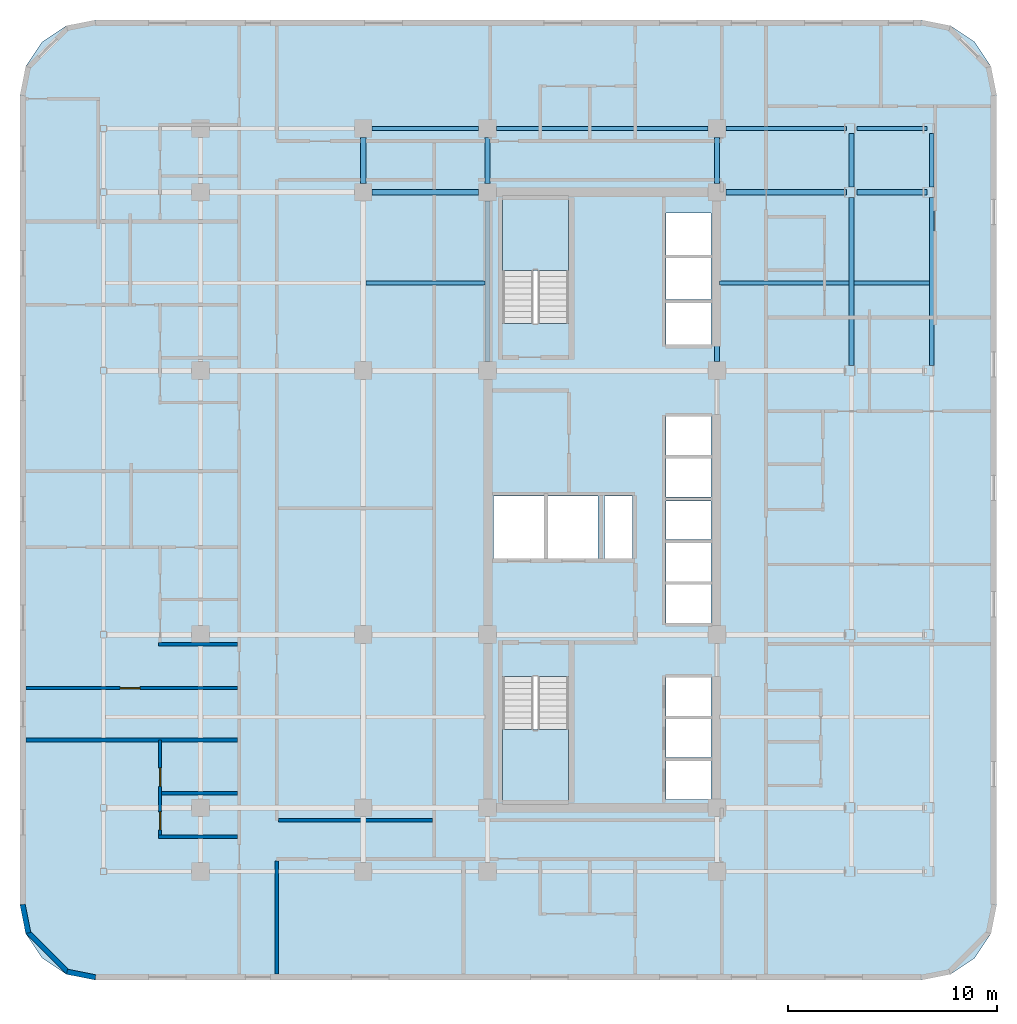
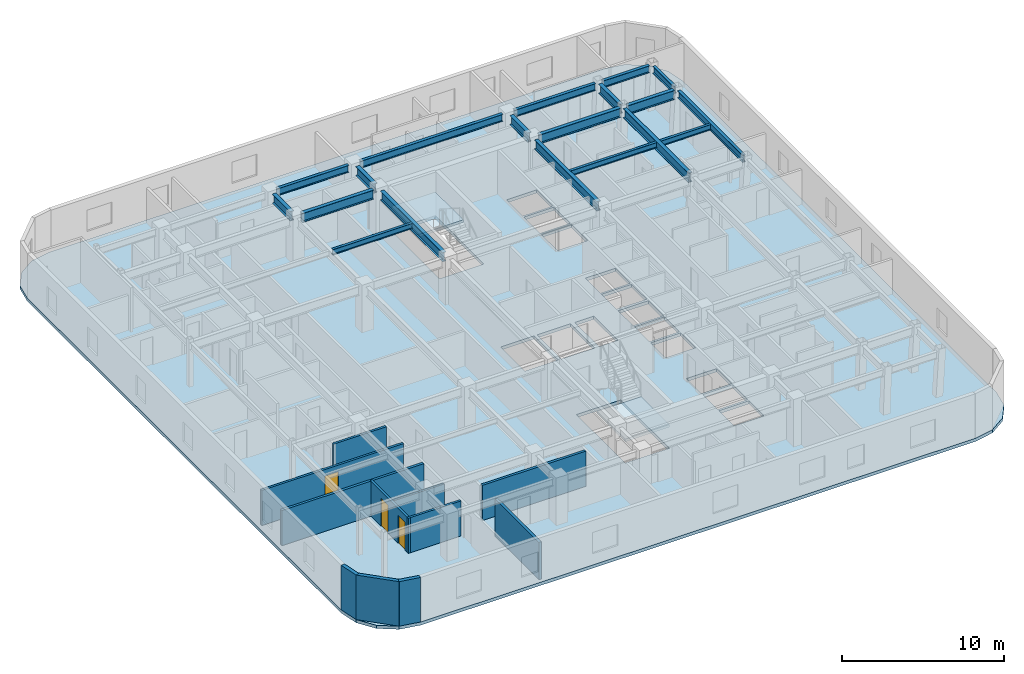
# One storey, part 5 of 12: 19 beams, 11 walls, 3 doors, 3 slabs, 3 openings, 2 elements without a shape of their own.
"""IFC4 building model written with IfcOpenShell, lengths in metres."""

from ifc_helpers import new_model, si_unit, direction, frame, frame_2d, origin, origin_2d, place, context, subcontext, project, spatial, polyline, rectangle, i_section, outline, extrude, material, layer, layer_set, material_profile, profile_set, type_object, element, fill, aggregate, save


model = new_model("IFC4")

# Units and contexts
model_context = context("Model", 3, precision=1e-05, world=origin(), true_north=direction((0.0, 1.0)))
body_context = subcontext(model_context, "Body", "Model", "MODEL_VIEW")
ifc_project = project(units=[si_unit("LENGTHUNIT", "METRE"), si_unit("AREAUNIT", "SQUARE_METRE"), si_unit("VOLUMEUNIT", "CUBIC_METRE"), si_unit("PLANEANGLEUNIT", "RADIAN"), si_unit("MASSUNIT", "GRAM", prefix="KILO")], contexts=[model_context])

# Site, building, storey
site_placement = place(None, origin())
site = spatial("IfcSite", under=ifc_project, at=site_placement, CompositionType="ELEMENT")
building_placement = place(site_placement, origin())
building = spatial("IfcBuilding", under=site, at=building_placement, Name="Ochreholt Gables", CompositionType="ELEMENT")
storey_placement = place(building_placement, frame((0.0, 0.0, 45.60009765625)))
storey = spatial("IfcBuildingStorey", under=building, at=storey_placement, Name="L11", CompositionType="ELEMENT", Elevation=45.60009765625)

# Beams
ifc_material_1 = material(Name="Steel CSA G40.21 350W", Category="steel")
ifc_material_profile_1 = material_profile(ifc_material_1, i_section(OverallWidth=0.256103515625, OverallDepth=0.693115234375, WebThickness=0.014404296875, FlangeThickness=0.023681640625, at=origin_2d()), Name="W690X170")
ifc_profile_set_1 = profile_set([ifc_material_profile_1], Name="Steel CSA G40.21 350W")
beam_type_1 = type_object("IfcBeamType", Name="BM-G-W690", PredefinedType="BEAM", material=ifc_profile_set_1)
beam_1_placement = place(storey_placement, frame((18.674560546875, 38.75, 3.013427734375), z_axis=(1.0, 0.0, 0.0), x_axis=(0.0, 1.0, 0.0)))
element("IfcBeam", 1, at=beam_1_placement, inside=storey, type_object=beam_type_1, Name="L11 Beam TBG-L11-W3C1-Y5", PredefinedType="BEAM", context=body_context, shape_type="SweptSolid", body=[
    extrude(i_section(OverallWidth=0.256103515625, OverallDepth=0.693115234375, WebThickness=0.014404296875, FlangeThickness=0.023681640625, at=origin_2d()), origin(), (0.0, 0.0, 1.0), 5.100830078125),
])
beam_2_placement = place(storey_placement, frame((35.62451171875, 38.75, 3.013427734375), z_axis=(1.0, 0.0, 0.0), x_axis=(0.0, 1.0, 0.0)))
element("IfcBeam", 2, at=beam_2_placement, inside=storey, type_object=beam_type_1, Name="L11 Beam TBG-L11-C2EM-Y5", PredefinedType="BEAM", context=body_context, shape_type="SweptSolid", body=[
    extrude(i_section(OverallWidth=0.256103515625, OverallDepth=0.693115234375, WebThickness=0.014404296875, FlangeThickness=0.023681640625, at=origin_2d()), origin(), (0.0, 0.0, 1.0), 5.783935546875),
])
beam_3_placement = place(storey_placement, frame((41.90771484375, 38.75, 3.013427734375), z_axis=(1.0, 0.0, 0.0), x_axis=(0.0, 1.0, 0.0)))
element("IfcBeam", 3, at=beam_3_placement, inside=storey, type_object=beam_type_1, Name="L11 Beam TBG-L11-EMEE-Y5", PredefinedType="BEAM", context=body_context, shape_type="SweptSolid", body=[
    extrude(i_section(OverallWidth=0.256103515625, OverallDepth=0.693115234375, WebThickness=0.014404296875, FlangeThickness=0.023681640625, at=origin_2d()), origin(), (0.0, 0.0, 1.0), 3.35302734375),
])
beam_4_placement = place(storey_placement, frame((18.25, 39.174560546875, 3.013427734375), z_axis=(0.0, 1.0, 0.0), x_axis=(-1.0, 0.0, 0.0)))
element("IfcBeam", 4, at=beam_4_placement, inside=storey, type_object=beam_type_1, Name="L11 Beam TBN-L11-W3-Y5Y6", PredefinedType="BEAM", context=body_context, shape_type="SweptSolid", body=[
    extrude(i_section(OverallWidth=0.256103515625, OverallDepth=0.693115234375, WebThickness=0.014404296875, FlangeThickness=0.023681640625, at=origin_2d()), origin(), (0.0, 0.0, 1.0), 2.200927734375),
])
beam_5_placement = place(storey_placement, frame((24.199951171875, 30.62451171875, 3.013427734375), z_axis=(0.0, 1.0, 0.0), x_axis=(-1.0, 0.0, 0.0)))
element("IfcBeam", 5, at=beam_5_placement, inside=storey, type_object=beam_type_1, Name="L11 Beam TBN-L11-C1-Y4Y5", PredefinedType="BEAM", context=body_context, shape_type="SweptSolid", body=[
    extrude(i_section(OverallWidth=0.256103515625, OverallDepth=0.693115234375, WebThickness=0.014404296875, FlangeThickness=0.023681640625, at=origin_2d()), origin(), (0.0, 0.0, 1.0), 7.700927734375),
])
beam_6_placement = place(storey_placement, frame((24.199951171875, 39.174560546875, 3.013427734375), z_axis=(0.0, 1.0, 0.0), x_axis=(-1.0, 0.0, 0.0)))
element("IfcBeam", 6, at=beam_6_placement, inside=storey, type_object=beam_type_1, Name="L11 Beam TBN-L11-C1-Y5Y6", PredefinedType="BEAM", context=body_context, shape_type="SweptSolid", body=[
    extrude(i_section(OverallWidth=0.256103515625, OverallDepth=0.693115234375, WebThickness=0.014404296875, FlangeThickness=0.023681640625, at=origin_2d()), origin(), (0.0, 0.0, 1.0), 2.200927734375),
])
beam_7_placement = place(storey_placement, frame((35.199951171875, 30.62451171875, 3.013427734375), z_axis=(0.0, 1.0, 0.0), x_axis=(-1.0, 0.0, 0.0)))
element("IfcBeam", 7, at=beam_7_placement, inside=storey, type_object=beam_type_1, Name="L11 Beam TBN-L11-C2-Y4Y5", PredefinedType="BEAM", context=body_context, shape_type="SweptSolid", body=[
    extrude(i_section(OverallWidth=0.256103515625, OverallDepth=0.693115234375, WebThickness=0.014404296875, FlangeThickness=0.023681640625, at=origin_2d()), origin(), (0.0, 0.0, 1.0), 7.700927734375),
])
beam_8_placement = place(storey_placement, frame((35.199951171875, 39.174560546875, 3.013427734375), z_axis=(0.0, 1.0, 0.0), x_axis=(-1.0, 0.0, 0.0)))
element("IfcBeam", 8, at=beam_8_placement, inside=storey, type_object=beam_type_1, Name="L11 Beam TBN-L11-C2-Y5Y6", PredefinedType="BEAM", context=body_context, shape_type="SweptSolid", body=[
    extrude(i_section(OverallWidth=0.256103515625, OverallDepth=0.693115234375, WebThickness=0.014404296875, FlangeThickness=0.023681640625, at=origin_2d()), origin(), (0.0, 0.0, 1.0), 2.200927734375),
])
beam_9_placement = place(storey_placement, frame((41.640869140625, 30.44970703125, 3.013427734375), z_axis=(0.0, 1.0, 0.0), x_axis=(-1.0, 0.0, 0.0)))
element("IfcBeam", 9, at=beam_9_placement, inside=storey, type_object=beam_type_1, Name="L11 Beam TBN-L11-EM-Y4Y5", PredefinedType="BEAM", context=body_context, shape_type="SweptSolid", body=[
    extrude(i_section(OverallWidth=0.256103515625, OverallDepth=0.693115234375, WebThickness=0.014404296875, FlangeThickness=0.023681640625, at=origin_2d()), origin(), (0.0, 0.0, 1.0), 8.05078125),
])
beam_10_placement = place(storey_placement, frame((41.640869140625, 38.99951171875, 3.013427734375), z_axis=(0.0, 1.0, 0.0), x_axis=(-1.0, 0.0, 0.0)))
element("IfcBeam", 10, at=beam_10_placement, inside=storey, type_object=beam_type_1, Name="L11 Beam TBN-L11-EM-Y5Y6", PredefinedType="BEAM", context=body_context, shape_type="SweptSolid", body=[
    extrude(i_section(OverallWidth=0.256103515625, OverallDepth=0.693115234375, WebThickness=0.014404296875, FlangeThickness=0.023681640625, at=origin_2d()), origin(), (0.0, 0.0, 1.0), 2.55078125),
])
ifc_material_profile_2 = material_profile(ifc_material_1, i_section(OverallWidth=0.178955078125, OverallDepth=0.409912109375, WebThickness=0.0087890625, FlangeThickness=0.014404296875, at=origin_2d()), Name="W410X67")
ifc_profile_set_2 = profile_set([ifc_material_profile_2], Name="Steel CSA G40.21 350W")
beam_type_2 = type_object("IfcBeamType", Name="BM-J-W410", PredefinedType="JOIST", material=ifc_profile_set_2)
beam_11_placement = place(storey_placement, frame((18.377685546875, 34.39990234375, 3.15478515625), z_axis=(1.0, 0.0, 0.0), x_axis=(0.0, 1.0, 0.0)))
element("IfcBeam", 11, at=beam_11_placement, inside=storey, type_object=beam_type_2, Name="L11 Beam TBJ-L11-J2-W3C1", PredefinedType="JOIST", context=body_context, shape_type="SweptSolid", body=[
    extrude(i_section(OverallWidth=0.178955078125, OverallDepth=0.409912109375, WebThickness=0.0087890625, FlangeThickness=0.014404296875, at=origin_2d()), origin(), (0.0, 0.0, 1.0), 5.69482421875),
])
beam_12_placement = place(storey_placement, frame((35.32763671875, 34.39990234375, 3.15478515625), z_axis=(1.0, 0.0, 0.0), x_axis=(0.0, 1.0, 0.0)))
element("IfcBeam", 12, at=beam_12_placement, inside=storey, type_object=beam_type_2, Name="L11 Beam TBJ-L11-J2-C2EM", PredefinedType="JOIST", context=body_context, shape_type="SweptSolid", body=[
    extrude(i_section(OverallWidth=0.178955078125, OverallDepth=0.409912109375, WebThickness=0.0087890625, FlangeThickness=0.014404296875, at=origin_2d()), origin(), (0.0, 0.0, 1.0), 6.185546875),
])
beam_13_placement = place(storey_placement, frame((41.7685546875, 34.39990234375, 3.15478515625), z_axis=(1.0, 0.0, 0.0), x_axis=(0.0, 1.0, 0.0)))
element("IfcBeam", 13, at=beam_13_placement, inside=storey, type_object=beam_type_2, Name="L11 Beam TBJ-L11-J2-EMEE", PredefinedType="JOIST", context=body_context, shape_type="SweptSolid", body=[
    extrude(i_section(OverallWidth=0.178955078125, OverallDepth=0.409912109375, WebThickness=0.0087890625, FlangeThickness=0.014404296875, at=origin_2d()), origin(), (0.0, 0.0, 1.0), 3.609375),
])
ifc_material_profile_3 = material_profile(ifc_material_1, i_section(OverallWidth=0.208984375, OverallDepth=0.532958984375, WebThickness=0.01025390625, FlangeThickness=0.015625, at=origin_2d()), Name="W530X92")
ifc_profile_set_3 = profile_set([ifc_material_profile_3], Name="Steel CSA G40.21 350W")
beam_type_3 = type_object("IfcBeamType", Name="BM-SP-W530B", PredefinedType="SPANDREL", material=ifc_profile_set_3)
beam_14_placement = place(storey_placement, frame((18.674560546875, 41.800048828125, 3.093505859375), z_axis=(1.0, 0.0, 0.0), x_axis=(0.0, 1.0, 0.0)))
element("IfcBeam", 14, at=beam_14_placement, inside=storey, type_object=beam_type_3, Name="L11 Beam TBG-L11-W3C1-Y6", PredefinedType="SPANDREL", context=body_context, shape_type="SweptSolid", body=[
    extrude(i_section(OverallWidth=0.208984375, OverallDepth=0.532958984375, WebThickness=0.01025390625, FlangeThickness=0.015625, at=origin_2d()), origin(), (0.0, 0.0, 1.0), 5.100830078125),
])
beam_15_placement = place(storey_placement, frame((24.62451171875, 41.800048828125, 3.093505859375), z_axis=(1.0, 0.0, 0.0), x_axis=(0.0, 1.0, 0.0)))
element("IfcBeam", 15, at=beam_15_placement, inside=storey, type_object=beam_type_3, Name="L11 Beam TBG-L11-C1C2-Y6", PredefinedType="SPANDREL", context=body_context, shape_type="SweptSolid", body=[
    extrude(i_section(OverallWidth=0.208984375, OverallDepth=0.532958984375, WebThickness=0.01025390625, FlangeThickness=0.015625, at=origin_2d()), origin(), (0.0, 0.0, 1.0), 10.15087890625),
])
beam_16_placement = place(storey_placement, frame((35.62451171875, 41.800048828125, 3.093505859375), z_axis=(1.0, 0.0, 0.0), x_axis=(0.0, 1.0, 0.0)))
element("IfcBeam", 16, at=beam_16_placement, inside=storey, type_object=beam_type_3, Name="L11 Beam TBG-L11-C2EM-Y6", PredefinedType="SPANDREL", context=body_context, shape_type="SweptSolid", body=[
    extrude(i_section(OverallWidth=0.208984375, OverallDepth=0.532958984375, WebThickness=0.01025390625, FlangeThickness=0.015625, at=origin_2d()), origin(), (0.0, 0.0, 1.0), 5.783935546875),
])
beam_17_placement = place(storey_placement, frame((41.90771484375, 41.800048828125, 3.093505859375), z_axis=(1.0, 0.0, 0.0), x_axis=(0.0, 1.0, 0.0)))
element("IfcBeam", 17, at=beam_17_placement, inside=storey, type_object=beam_type_3, Name="L11 Beam TBG-L11-EMEE-Y6", PredefinedType="SPANDREL", context=body_context, shape_type="SweptSolid", body=[
    extrude(i_section(OverallWidth=0.208984375, OverallDepth=0.532958984375, WebThickness=0.01025390625, FlangeThickness=0.015625, at=origin_2d()), origin(), (0.0, 0.0, 1.0), 3.35302734375),
])
beam_18_placement = place(storey_placement, frame((45.48193359375, 30.44970703125, 3.093505859375), z_axis=(0.0, 1.0, 0.0), x_axis=(-1.0, 0.0, 0.0)))
element("IfcBeam", 18, at=beam_18_placement, inside=storey, type_object=beam_type_3, Name="L11 Beam TBN-L11-EE-Y4Y5", PredefinedType="SPANDREL", context=body_context, shape_type="SweptSolid", body=[
    extrude(i_section(OverallWidth=0.208984375, OverallDepth=0.532958984375, WebThickness=0.01025390625, FlangeThickness=0.015625, at=origin_2d()), origin(), (0.0, 0.0, 1.0), 8.05078125),
])
beam_19_placement = place(storey_placement, frame((45.48193359375, 38.99951171875, 3.093505859375), z_axis=(0.0, 1.0, 0.0), x_axis=(-1.0, 0.0, 0.0)))
element("IfcBeam", 19, at=beam_19_placement, inside=storey, type_object=beam_type_3, Name="L11 Beam TBN-L11-EE-Y5Y6", PredefinedType="SPANDREL", context=body_context, shape_type="SweptSolid", body=[
    extrude(i_section(OverallWidth=0.208984375, OverallDepth=0.532958984375, WebThickness=0.01025390625, FlangeThickness=0.015625, at=origin_2d()), origin(), (0.0, 0.0, 1.0), 2.55078125),
])

# Stair, slab
ifc_material_2 = material(Name="Concrete 40 MPa", Category="concrete")
stair_type_1 = type_object("IfcStairType", Name="STAIR-CORE-ST-1", PredefinedType="HALF_TURN_STAIR", material=ifc_material_2)
stair_1_placement = place(storey_placement, origin())
stair_1 = element("IfcStair", 20, at=stair_1_placement, inside=storey, type_object=stair_type_1, Name="L11 Core Exit Stair 1", PredefinedType="HALF_TURN_STAIR")
ifc_layer_1 = layer(ifc_material_2, 0.199951171875, Name="Concrete 40 MPa")
ifc_layer_set_1 = layer_set([ifc_layer_1], Name="Concrete 40 MPa")
slab_type_1 = type_object("IfcSlabType", Name="LANDING-RC200", PredefinedType="LANDING", material=ifc_layer_set_1)
slab_1_placement = place(storey_placement, frame((0.0, 0.0, 1.599853515625)))
slab_1 = element("IfcSlab", 21, at=slab_1_placement, type_object=slab_type_1, Name="ST-1 landing 1", PredefinedType="LANDING", context=body_context, shape_type="SweptSolid", body=[
    extrude(outline(polyline([(24.919921875, 13.001953125), (24.919921875, 9.52001953125), (28.080078125, 9.52001953125), (28.080078125, 13.001953125), (24.919921875, 13.001953125)])), origin(), (0.0, 0.0, 1.0), 0.199951171875),
])
aggregate(stair_1, [slab_1])

stair_type_2 = type_object("IfcStairType", Name="STAIR-CORE-ST-2", PredefinedType="HALF_TURN_STAIR", material=ifc_material_2)
stair_2_placement = place(storey_placement, origin())
stair_2 = element("IfcStair", 22, at=stair_2_placement, inside=storey, type_object=stair_type_2, Name="L11 Core Exit Stair 2", PredefinedType="HALF_TURN_STAIR")
slab_2_placement = place(storey_placement, frame((0.0, 0.0, 1.599853515625)))
slab_2 = element("IfcSlab", 23, at=slab_2_placement, type_object=slab_type_1, Name="ST-2 landing 1", PredefinedType="LANDING", context=body_context, shape_type="SweptSolid", body=[
    extrude(outline(polyline([(28.080078125, 34.998046875), (28.080078125, 38.47998046875), (24.919921875, 38.47998046875), (24.919921875, 34.998046875), (28.080078125, 34.998046875)])), origin(), (0.0, 0.0, 1.0), 0.199951171875),
])
aggregate(stair_2, [slab_2])

# Slab
ifc_layer_2 = layer(ifc_material_2, 0.239990234375, Name="Concrete 40 MPa")
ifc_layer_set_2 = layer_set([ifc_layer_2], Name="Concrete 40 MPa")
slab_type_2 = type_object("IfcSlabType", Name="SLAB-TWR-240", PredefinedType="FLOOR", material=ifc_layer_set_2)
slab_3_placement = place(storey_placement, frame((0.0, 0.0, -0.239990234375)))
element("IfcSlab", 24, at=slab_3_placement, inside=storey, type_object=slab_type_2, Name="L11 Structural Floor Slab", PredefinedType="FLOOR", context=body_context, shape_type="SweptSolid", body=[
    extrude(outline(polyline([(1.800048828125, 4.60009765625), (2.073974609375, 3.222412109375), (2.8544921875, 2.054443359375), (4.022216796875, 1.27392578125), (5.39990234375, 1.0), (45.0, 1.0), (46.377685546875, 1.27392578125), (47.545654296875, 2.054443359375), (48.325927734375, 3.222412109375), (48.60009765625, 4.60009765625), (48.60009765625, 43.39990234375), (48.325927734375, 44.777587890625), (47.545654296875, 45.945556640625), (46.377685546875, 46.72607421875), (45.0, 47.0), (5.39990234375, 47.0), (4.022216796875, 46.72607421875), (2.8544921875, 45.945556640625), (2.073974609375, 44.777587890625), (1.800048828125, 43.39990234375), (1.800048828125, 4.60009765625)]), holes=[polyline([(24.919921875, 15.539306640625), (24.919921875, 9.52001953125), (28.080078125, 9.52001953125), (28.080078125, 15.539306640625), (24.919921875, 15.539306640625)]), polyline([(28.080078125, 32.460693359375), (28.080078125, 38.47998046875), (24.919921875, 38.47998046875), (24.919921875, 32.460693359375), (28.080078125, 32.460693359375)]), polyline([(24.5, 21.199951171875), (26.89990234375, 21.199951171875), (26.89990234375, 24.199951171875), (24.5, 24.199951171875), (24.5, 21.199951171875)]), polyline([(27.10009765625, 21.199951171875), (29.5, 21.199951171875), (29.5, 24.199951171875), (27.10009765625, 24.199951171875), (27.10009765625, 21.199951171875)]), polyline([(32.75, 9.64990234375), (34.89990234375, 9.64990234375), (34.89990234375, 11.5), (32.75, 11.5), (32.75, 9.64990234375)]), polyline([(32.75, 11.64990234375), (34.89990234375, 11.64990234375), (34.89990234375, 13.5), (32.75, 13.5), (32.75, 11.64990234375)]), polyline([(32.75, 13.64990234375), (34.89990234375, 13.64990234375), (34.89990234375, 15.5), (32.75, 15.5), (32.75, 13.64990234375)]), polyline([(32.75, 18.10009765625), (34.89990234375, 18.10009765625), (34.89990234375, 19.949951171875), (32.75, 19.949951171875), (32.75, 18.10009765625)]), polyline([(32.75, 20.10009765625), (34.89990234375, 20.10009765625), (34.89990234375, 21.949951171875), (32.75, 21.949951171875), (32.75, 20.10009765625)]), polyline([(32.75, 22.10009765625), (34.89990234375, 22.10009765625), (34.89990234375, 23.949951171875), (32.75, 23.949951171875), (32.75, 22.10009765625)]), polyline([(32.75, 24.14990234375), (34.89990234375, 24.14990234375), (34.89990234375, 26.0), (32.75, 26.0), (32.75, 24.14990234375)]), polyline([(32.75, 26.14990234375), (34.89990234375, 26.14990234375), (34.89990234375, 28.0), (32.75, 28.0), (32.75, 26.14990234375)]), polyline([(32.75, 31.449951171875), (34.89990234375, 31.449951171875), (34.89990234375, 33.449951171875), (32.75, 33.449951171875), (32.75, 31.449951171875)]), polyline([(32.75, 33.60009765625), (34.89990234375, 33.60009765625), (34.89990234375, 35.60009765625), (32.75, 35.60009765625), (32.75, 33.60009765625)]), polyline([(32.75, 35.75), (34.89990234375, 35.75), (34.89990234375, 37.75), (32.75, 37.75), (32.75, 35.75)]), polyline([(29.800048828125, 21.199951171875), (31.14990234375, 21.199951171875), (31.14990234375, 24.199951171875), (29.800048828125, 24.199951171875), (29.800048828125, 21.199951171875)])]), origin(), (0.0, 0.0, 1.0), 0.239990234375),
])

# Walls
ifc_material_3 = material(Name="Precast concrete 40 MPa", Category="concrete")
ifc_layer_3 = layer(ifc_material_3, 0.25, Name="Precast concrete 40 MPa")
ifc_layer_set_3 = layer_set([ifc_layer_3], Name="Precast concrete 40 MPa")
wall_type_1 = type_object("IfcWallType", Name="WALL-EXT-CNR", PredefinedType="SOLIDWALL", material=ifc_layer_set_3)
wall_1_placement = place(storey_placement, frame((1.92431640625, 4.616455078125, 0.0), z_axis=(0.0, 0.0, 1.0), x_axis=(0.19496651342, -0.980809899341, 0.0)))
element("IfcWall", 25, at=wall_1_placement, inside=storey, type_object=wall_type_1, Name="L11 Rounded Corner Wall SW-1", PredefinedType="SOLIDWALL", context=body_context, shape_type="SweptSolid", body=[
    extrude(rectangle(XDim=1.388671875, YDim=0.25, at=frame_2d((0.6943359375, 0.0))), origin(), (0.0, 0.0, 1.0), 3.35986328125),
])
wall_2_placement = place(storey_placement, frame((2.16796875, 3.304931640625, 0.0), z_axis=(0.0, 0.0, 1.0), x_axis=(0.707106781187, -0.707106781187, 0.0)))
element("IfcWall", 26, at=wall_2_placement, inside=storey, type_object=wall_type_1, Name="L11 Rounded Corner Wall SW-2", PredefinedType="SOLIDWALL", context=body_context, shape_type="SweptSolid", body=[
    extrude(rectangle(XDim=2.7392578125, YDim=0.25, at=frame_2d((1.36962890625, 0.0))), origin(), (0.0, 0.0, 1.0), 3.35986328125),
])
wall_3_placement = place(storey_placement, frame((4.054443359375, 1.39501953125, 0.0), z_axis=(0.0, 0.0, 1.0), x_axis=(0.980809899341, -0.19496651342, 0.0)))
element("IfcWall", 27, at=wall_3_placement, inside=storey, type_object=wall_type_1, Name="L11 Rounded Corner Wall SW-3", PredefinedType="SOLIDWALL", context=body_context, shape_type="SweptSolid", body=[
    extrude(rectangle(XDim=1.388671875, YDim=0.25, at=frame_2d((0.6943359375, 0.0))), origin(), (0.0, 0.0, 1.0), 3.35986328125),
])
ifc_material_4 = material(Name="Fire-Rated Gypsum Acoustic Partition", Category="gypsum")
ifc_layer_4 = layer(ifc_material_4, 0.179931640625, Name="Fire-Rated Gypsum Acoustic Partition")
ifc_layer_set_4 = layer_set([ifc_layer_4], Name="Fire-Rated Gypsum Acoustic Partition")
wall_type_2 = type_object("IfcWallType", Name="WALL-INT-CR180", PredefinedType="STANDARD", material=ifc_layer_set_4)
wall_4_placement = place(storey_placement, frame((14.18994140625, 8.64990234375, 0.0), z_axis=(0.0, 0.0, 1.0), x_axis=(1.0, 0.0, 0.0)))
element("IfcWall", 28, at=wall_4_placement, inside=storey, type_object=wall_type_2, Name="L11 Interior Wall WI-C1S2W-L11", PredefinedType="STANDARD", context=body_context, shape_type="SweptSolid", body=[
    extrude(rectangle(XDim=7.3701171875, YDim=0.179931640625, at=frame_2d((3.68505859375, 0.0))), origin(), (0.0, 0.0, 1.0), 2.64892578125),
])
ifc_material_5 = material(Name="Double-Stud Acoustic Demising Wall", Category="gypsum")
ifc_layer_5 = layer(ifc_material_5, 0.179931640625, Name="Double-Stud Acoustic Demising Wall")
ifc_layer_set_5 = layer_set([ifc_layer_5], Name="Double-Stud Acoustic Demising Wall")
wall_type_3 = type_object("IfcWallType", Name="WALL-INT-DM180", PredefinedType="PARTITIONING", material=ifc_layer_set_5)
wall_5_placement = place(storey_placement, frame((14.10009765625, 1.2900390625, 0.0), z_axis=(0.0, 0.0, 1.0), x_axis=(0.0, 1.0, 0.0)))
element("IfcWall", 29, at=wall_5_placement, inside=storey, type_object=wall_type_3, Name="L11 Interior Wall WI-C1WSI-L11", PredefinedType="PARTITIONING", context=body_context, shape_type="SweptSolid", body=[
    extrude(rectangle(XDim=5.419921875, YDim=0.179931640625, at=frame_2d((2.7099609375, 0.0))), origin(), (0.0, 0.0, 1.0), 2.808837890625),
])
wall_6_placement = place(storey_placement, frame((2.090087890625, 12.5, 0.0), z_axis=(0.0, 0.0, 1.0), x_axis=(1.0, 0.0, 0.0)))
element("IfcWall", 30, at=wall_6_placement, inside=storey, type_object=wall_type_3, Name="L11 Interior Wall WI-UDW2-L11", PredefinedType="PARTITIONING", context=body_context, shape_type="SweptSolid", body=[
    extrude(rectangle(XDim=10.119873046875, YDim=0.179931640625, at=frame_2d((5.06005859375, 0.0))), origin(), (0.0, 0.0, 1.0), 2.64892578125),
])
ifc_material_6 = material(Name="Moisture-Resistant Plumbing Chase Wall", Category="gypsum")
ifc_layer_6 = layer(ifc_material_6, 0.159912109375, Name="Moisture-Resistant Plumbing Chase Wall")
ifc_layer_set_6 = layer_set([ifc_layer_6], Name="Moisture-Resistant Plumbing Chase Wall")
wall_type_4 = type_object("IfcWallType", Name="WALL-INT-PL160", PredefinedType="PLUMBINGWALL", material=ifc_layer_set_6)
wall_7_placement = place(storey_placement, frame((8.429931640625, 7.860107421875, 0.0), z_axis=(0.0, 0.0, 1.0), x_axis=(1.0, 0.0, 0.0)))
element("IfcWall", 31, at=wall_7_placement, inside=storey, type_object=wall_type_4, Name="L11 Interior Wall WU-L11W1-WYS", PredefinedType="PLUMBINGWALL", context=body_context, shape_type="SweptSolid", body=[
    extrude(rectangle(XDim=3.780029296875, YDim=0.159912109375, at=frame_2d((1.89013671875, 0.0))), origin(), (0.0, 0.0, 1.0), 2.64892578125),
])

# Wall, openings, doors
wall_8_placement = place(storey_placement, frame((8.510009765625, 7.77001953125, 0.0), z_axis=(0.0, 0.0, 1.0), x_axis=(0.0, 1.0, 0.0)))
wall_8 = element("IfcWall", 32, at=wall_8_placement, inside=storey, type_object=wall_type_4, Name="L11 Interior Wall WU-L11W1-WX", PredefinedType="PLUMBINGWALL", context=body_context, shape_type="SweptSolid", body=[
    extrude(rectangle(XDim=4.72998046875, YDim=0.159912109375, at=frame_2d((2.364990234375, 0.0))), origin(), (0.0, 0.0, 1.0), 2.64892578125),
])
opening_1_placement = place(wall_8_placement, frame((0.419921875, 0.0, 0.0)))
opening_1 = element("IfcOpeningElement", 33, at=opening_1_placement, cuts=wall_8, Name="Opening D-BT1", PredefinedType="OPENING", context=body_context, shape_type="SweptSolid", body=[
    extrude(rectangle(XDim=0.860107421875, YDim=2.1201171875, at=frame_2d((0.43017578125, 1.06005859375))), frame((0.0, 0.08984375, 0.0), z_axis=(0.0, -1.0, 0.0), x_axis=(1.0, 0.0, 0.0)), (0.0, 0.0, 1.0), 0.179931640625),
])
opening_2_placement = place(wall_8_placement, frame((2.512939453125, 0.0, 0.0)))
opening_2 = element("IfcOpeningElement", 34, at=opening_2_placement, cuts=wall_8, Name="Opening D-GN2", PredefinedType="OPENING", context=body_context, shape_type="SweptSolid", body=[
    extrude(rectangle(XDim=0.8798828125, YDim=2.1201171875, at=frame_2d((0.43994140625, 1.06005859375))), frame((0.0, 0.08984375, 0.0), z_axis=(0.0, -1.0, 0.0), x_axis=(1.0, 0.0, 0.0)), (0.0, 0.0, 1.0), 0.179931640625),
])
ifc_material_7 = material(Name="Engineered Oak Timber", Category="wood")
door_type_1 = type_object("IfcDoorType", Name="DR-INT-BTH860", OperationType="NOTDEFINED", PredefinedType="DOOR", material=ifc_material_7)
door_1_placement = place(opening_1_placement, origin())
door_1 = element("IfcDoor", 35, at=door_1_placement, inside=storey, type_object=door_type_1, Name="L11 Door D-U-L11W1-BTH", OperationType="SINGLE_SWING_RIGHT", OverallHeight=2.1201171875, OverallWidth=0.860107421875, PredefinedType="DOOR", context=body_context, shape_type="SweptSolid", body=[
    extrude(rectangle(XDim=0.860107421875, YDim=2.1201171875, at=frame_2d((0.43017578125, 1.06005859375))), frame((0.0, 0.02490234375, 0.0), z_axis=(0.0, -1.0, 0.0), x_axis=(1.0, 0.0, 0.0)), (0.0, 0.0, 1.0), 0.050048828125),
])
fill(opening_1, door_1)
door_type_2 = type_object("IfcDoorType", Name="DR-INT-GEN880", OperationType="NOTDEFINED", PredefinedType="DOOR", material=ifc_material_7)
door_2_placement = place(opening_2_placement, origin())
door_2 = element("IfcDoor", 36, at=door_2_placement, inside=storey, type_object=door_type_2, Name="L11 Door D-U-L11W1-KIT", OperationType="SINGLE_SWING_LEFT", OverallHeight=2.1201171875, OverallWidth=0.8798828125, PredefinedType="DOOR", context=body_context, shape_type="SweptSolid", body=[
    extrude(rectangle(XDim=0.8798828125, YDim=2.1201171875, at=frame_2d((0.43994140625, 1.06005859375))), frame((0.0, 0.02490234375, 0.0), z_axis=(0.0, -1.0, 0.0), x_axis=(1.0, 0.0, 0.0)), (0.0, 0.0, 1.0), 0.050048828125),
])
fill(opening_2, door_2)

# Walls
wall_9_placement = place(storey_placement, frame((8.590087890625, 9.952880859375, 0.0), z_axis=(0.0, 0.0, 1.0), x_axis=(1.0, 0.0, 0.0)))
element("IfcWall", 37, at=wall_9_placement, inside=storey, type_object=wall_type_4, Name="L11 Interior Wall WU-L11W1-WM", PredefinedType="PLUMBINGWALL", context=body_context, shape_type="SweptSolid", body=[
    extrude(rectangle(XDim=3.619873046875, YDim=0.159912109375, at=frame_2d((1.81005859375, 0.0))), origin(), (0.0, 0.0, 1.0), 2.64892578125),
])
wall_10_placement = place(storey_placement, frame((8.429931640625, 17.090087890625, 0.0), z_axis=(0.0, 0.0, 1.0), x_axis=(1.0, 0.0, 0.0)))
element("IfcWall", 38, at=wall_10_placement, inside=storey, type_object=wall_type_4, Name="L11 Interior Wall WU-L11W2-FYS", PredefinedType="PLUMBINGWALL", context=body_context, shape_type="SweptSolid", body=[
    extrude(rectangle(XDim=3.780029296875, YDim=0.159912109375, at=frame_2d((1.89013671875, 0.0))), origin(), (0.0, 0.0, 1.0), 2.64892578125),
])

# Wall, opening, door
ifc_material_8 = material(Name="Gypsum Acoustic Stud Partition", Category="gypsum")
ifc_layer_7 = layer(ifc_material_8, 0.159912109375, Name="Gypsum Acoustic Stud Partition")
ifc_layer_set_7 = layer_set([ifc_layer_7], Name="Gypsum Acoustic Stud Partition")
wall_type_5 = type_object("IfcWallType", Name="WALL-INT-PT160", PredefinedType="PARTITIONING", material=ifc_layer_set_7)
wall_11_placement = place(storey_placement, frame((2.090087890625, 14.989990234375, 0.0), z_axis=(0.0, 0.0, 1.0), x_axis=(1.0, 0.0, 0.0)))
wall_11 = element("IfcWall", 39, at=wall_11_placement, inside=storey, type_object=wall_type_5, Name="L11 Interior Wall WU-L11W2-DNW", PredefinedType="PARTITIONING", context=body_context, shape_type="SweptSolid", body=[
    extrude(rectangle(XDim=10.119873046875, YDim=0.159912109375, at=frame_2d((5.06005859375, 0.0))), origin(), (0.0, 0.0, 1.0), 2.64892578125),
])
opening_3_placement = place(wall_11_placement, frame((4.510009765625, 0.0, 0.0)))
opening_3 = element("IfcOpeningElement", 40, at=opening_3_placement, cuts=wall_11, Name="Opening D-GN1", PredefinedType="OPENING", context=body_context, shape_type="SweptSolid", body=[
    extrude(rectangle(XDim=0.949951171875, YDim=2.14990234375, at=frame_2d((0.47509765625, 1.074951171875))), frame((0.0, 0.08984375, 0.0), z_axis=(0.0, -1.0, 0.0), x_axis=(1.0, 0.0, 0.0)), (0.0, 0.0, 1.0), 0.179931640625),
])
door_type_3 = type_object("IfcDoorType", Name="DR-INT-GEN950", OperationType="NOTDEFINED", PredefinedType="DOOR", material=ifc_material_7)
door_3_placement = place(opening_3_placement, origin())
door_3 = element("IfcDoor", 41, at=door_3_placement, inside=storey, type_object=door_type_3, Name="L11 Door D-U-L11W2-DIN", OperationType="SINGLE_SWING_LEFT", OverallHeight=2.14990234375, OverallWidth=0.949951171875, PredefinedType="DOOR", context=body_context, shape_type="SweptSolid", body=[
    extrude(rectangle(XDim=0.949951171875, YDim=2.14990234375, at=frame_2d((0.47509765625, 1.074951171875))), frame((0.0, 0.02490234375, 0.0), z_axis=(0.0, -1.0, 0.0), x_axis=(1.0, 0.0, 0.0)), (0.0, 0.0, 1.0), 0.050048828125),
])
fill(opening_3, door_3)

save(model, "model.ifc")
